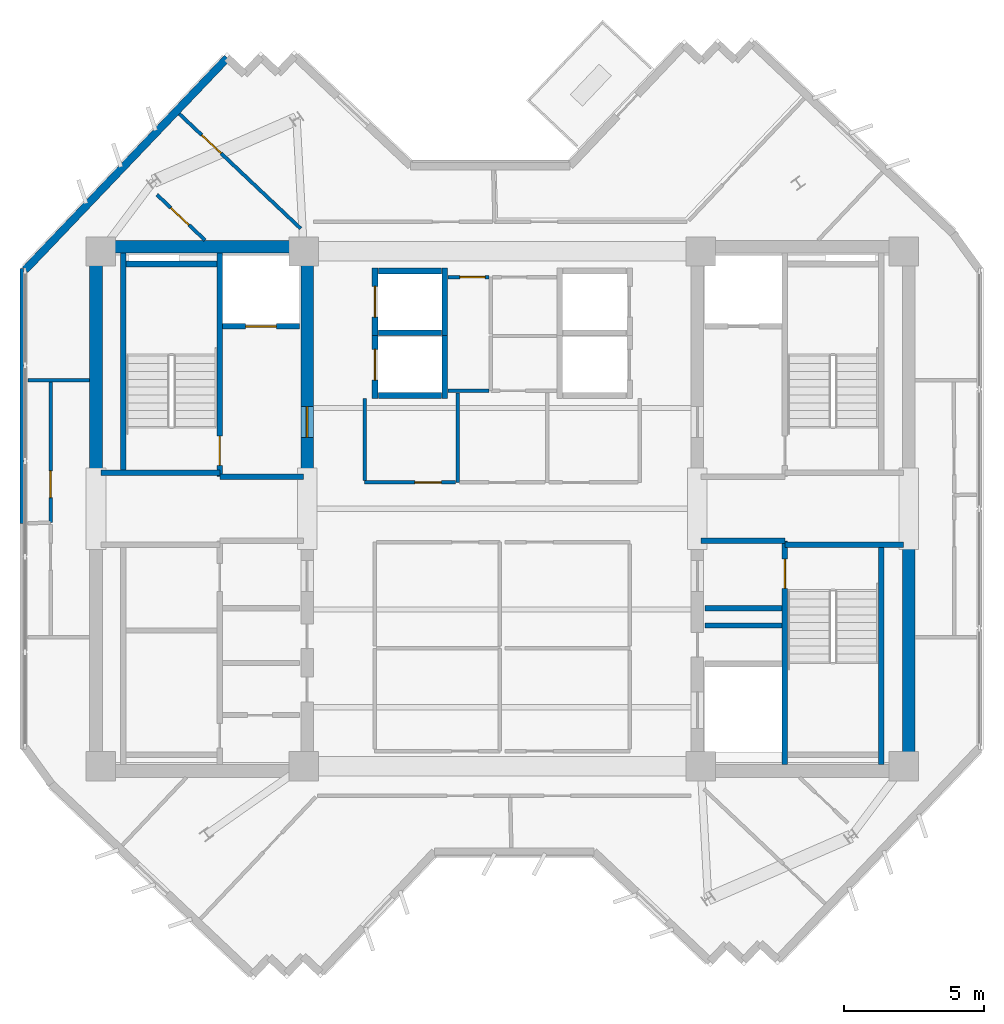
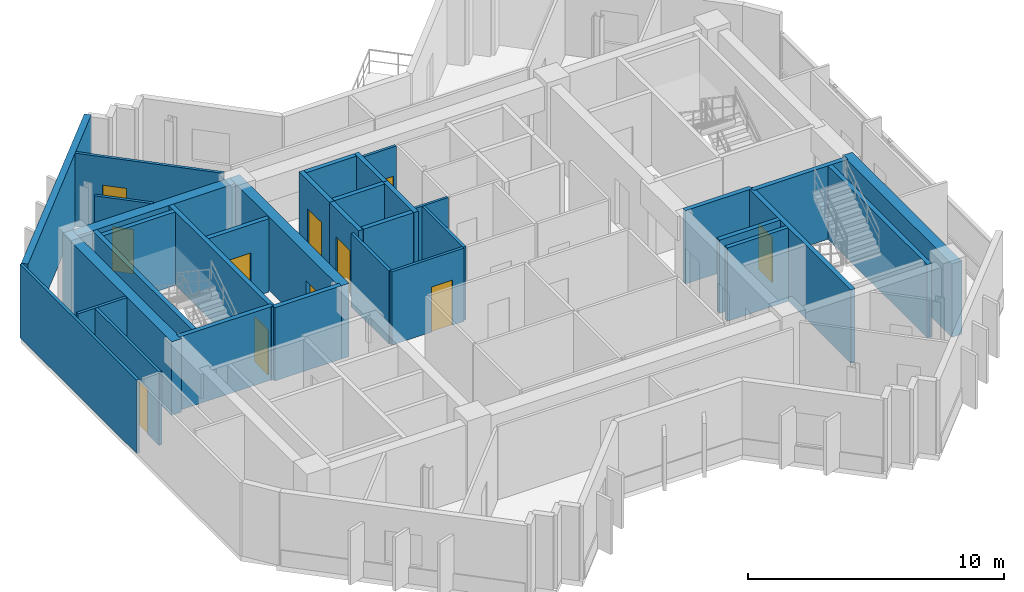
# One storey, part 5 of 9: 34 walls, 11 doors, 11 openings.
"""IFC4 building model written with IfcOpenShell, lengths in metres."""

import ifcopenshell
import ifcopenshell.guid

model = None  # the IFC model being written
_history = None  # IfcOwnerHistory: only IFC2X3 demands one
_inside = {}  # id of a spatial element -> (the spatial element, [elements in it])
_under = {}  # id of a project, library or spatial element -> (it, [spatial elements below it])
_declared = {}  # id of a project -> (the project, [libraries it declares])
_typed = {}  # id of a type object -> (the type object, [elements of that type])
_made_of = {}  # id of a material, layer set ... -> (it, [elements and type objects made of it])


def new_model(schema):
    """Start an empty IFC model of exactly this schema.

    Asked for "IFC4X3", IfcOpenShell would pick the latest addendum, in which some entities
    have other attributes; the version numbers below select the first issue.
    IFC2X3 requires an IfcOwnerHistory on every rooted entity: one is made here for all.
    """
    global model, _history
    if schema == "IFC4X3":
        model = ifcopenshell.file(schema_version=(4, 3, 0, 0))
    else:
        model = ifcopenshell.file(schema=schema)
    _inside.clear()
    _under.clear()
    _declared.clear()
    _typed.clear()
    _made_of.clear()
    _history = None
    if model.schema == "IFC2X3":
        org = make("IfcOrganization", Name="unknown")
        user = make(
            "IfcPersonAndOrganization",
            ThePerson=make("IfcPerson", FamilyName="unknown"),
            TheOrganization=org,
        )
        app = make(
            "IfcApplication",
            ApplicationDeveloper=org,
            Version="unknown",
            ApplicationFullName="unknown",
            ApplicationIdentifier="unknown",
        )
        _history = make(
            "IfcOwnerHistory",
            OwningUser=user,
            OwningApplication=app,
            ChangeAction="ADDED",
            CreationDate=0,
        )
    return model


def make(cls, **values):
    """One entity of the class cls with the attributes given. An attribute that is None is left unset."""
    return model.create_entity(
        cls, **{name: value for name, value in values.items() if value is not None}
    )


def rooted(cls, **values):
    """An entity with a GlobalId (a new one), such as an element, a storey or a relation."""
    return make(cls, GlobalId=ifcopenshell.guid.new(), OwnerHistory=_history, **values)


def si_unit(unit_type, name, prefix=None):
    """IfcSIUnit, for example si_unit("LENGTHUNIT", "METRE", prefix="MILLI")."""
    return make("IfcSIUnit", UnitType=unit_type, Prefix=prefix, Name=name)


def assignment(units):
    """IfcUnitAssignment: the units of a project."""
    return None if units is None else make("IfcUnitAssignment", Units=units)


def point(xyz):
    """IfcCartesianPoint."""
    return None if xyz is None else make("IfcCartesianPoint", Coordinates=xyz)


def direction(xyz):
    """IfcDirection."""
    return None if xyz is None else make("IfcDirection", DirectionRatios=xyz)


def frame(location, z_axis=None, x_axis=None):
    """IfcAxis2Placement3D, a coordinate frame: its origin and axes. An axis left out is left unset."""
    return make(
        "IfcAxis2Placement3D",
        Location=point(location),
        Axis=direction(z_axis),
        RefDirection=direction(x_axis),
    )


def frame_2d(location, x_axis=None):
    """IfcAxis2Placement2D, a coordinate frame in the plane: its origin and x axis."""
    return make(
        "IfcAxis2Placement2D", Location=point(location), RefDirection=direction(x_axis)
    )


def origin():
    """The frame at (0, 0, 0) with its axes left unset."""
    return frame((0.0, 0.0, 0.0))


def place(relative_to, where):
    """IfcLocalPlacement: puts the frame where relative to a parent placement (None: the world)."""
    return make(
        "IfcLocalPlacement", PlacementRelTo=relative_to, RelativePlacement=where
    )


def context(
    kind, dimensions, precision=None, world=None, true_north=None, identifier=None
):
    """IfcGeometricRepresentationContext, for example the 3D "Model" context."""
    return make(
        "IfcGeometricRepresentationContext",
        ContextIdentifier=identifier,
        ContextType=kind,
        CoordinateSpaceDimension=dimensions,
        Precision=precision,
        WorldCoordinateSystem=world,
        TrueNorth=true_north,
    )


def subcontext(parent, identifier, kind, view, scale=None):
    """IfcGeometricRepresentationSubContext, for example "Body" below "Model"."""
    return make(
        "IfcGeometricRepresentationSubContext",
        ContextIdentifier=identifier,
        ContextType=kind,
        ParentContext=parent,
        TargetScale=scale,
        TargetView=view,
    )


def project(units=None, contexts=None):
    """IfcProject with its units and contexts."""
    return rooted(
        "IfcProject",
        Name="project",
        RepresentationContexts=contexts,
        UnitsInContext=assignment(units),
    )


def spatial(cls, under=None, at=None, **own):
    """A site, building, storey or space (cls), placed at a placement, below another one or the project."""
    s = rooted(cls, ObjectPlacement=at, **own)
    if under is not None:
        _under.setdefault(under.id(), (under, []))[1].append(s)
    return s


def profile(cls, at=None, kind="AREA", **sizes):
    """A parametric profile (cls). Its sizes go by their IFC names, for example OverallWidth=200.0."""
    return make(cls, ProfileType=kind, Position=at, **sizes)


def rectangle(**sizes):
    """IfcRectangleProfileDef."""
    return profile("IfcRectangleProfileDef", **sizes)


def extrude(swept, where, along, depth):
    """IfcExtrudedAreaSolid: the profile swept, set in the frame where, extruded along a direction by depth."""
    return make(
        "IfcExtrudedAreaSolid",
        SweptArea=swept,
        Position=where,
        ExtrudedDirection=direction(along),
        Depth=depth,
    )


def shape(context_of_items, identifier, shape_type, items):
    """IfcShapeRepresentation: the items that make up one representation, for example the "Body"."""
    return make(
        "IfcShapeRepresentation",
        ContextOfItems=context_of_items,
        RepresentationIdentifier=identifier,
        RepresentationType=shape_type,
        Items=items,
    )


def source(mapping_origin, context_of_items, identifier, shape_type, items):
    """IfcRepresentationMap: a shape defined once, which mapped items show again and again."""
    return make(
        "IfcRepresentationMap",
        MappingOrigin=mapping_origin,
        MappedRepresentation=shape(context_of_items, identifier, shape_type, items),
    )


def transform(
    local_origin,
    x_axis=None,
    y_axis=None,
    z_axis=None,
    scale=None,
    scale2=None,
    scale3=None,
    uniform=True,
):
    """IfcCartesianTransformationOperator3D, or its non-uniform kind. x_axis, y_axis, z_axis: its Axis1, 2, 3."""
    if uniform:
        return make(
            "IfcCartesianTransformationOperator3D",
            Axis1=direction(x_axis),
            Axis2=direction(y_axis),
            LocalOrigin=point(local_origin),
            Scale=scale,
            Axis3=direction(z_axis),
        )
    return make(
        "IfcCartesianTransformationOperator3DnonUniform",
        Axis1=direction(x_axis),
        Axis2=direction(y_axis),
        LocalOrigin=point(local_origin),
        Scale=scale,
        Axis3=direction(z_axis),
        Scale2=scale2,
        Scale3=scale3,
    )


def mapped(mapping_source, mapping_target):
    """IfcMappedItem: shows the shape of a source again, moved by a transform."""
    return make(
        "IfcMappedItem", MappingSource=mapping_source, MappingTarget=mapping_target
    )


def material(Name=None, Category=None):
    """IfcMaterial."""
    return make("IfcMaterial", Name=Name, Category=Category)


def layer(
    of_material, thickness, ventilated=None, Name=None, Category=None, Priority=None
):
    """IfcMaterialLayer: one layer of a wall or slab, of a material (None: an air gap)."""
    return make(
        "IfcMaterialLayer",
        Material=of_material,
        LayerThickness=thickness,
        IsVentilated=ventilated,
        Name=Name,
        Category=Category,
        Priority=Priority,
    )


def layer_set(layers, Name=None):
    """IfcMaterialLayerSet."""
    return make("IfcMaterialLayerSet", MaterialLayers=layers, LayerSetName=Name)


def made_of(thing, what):
    """Note that an element or type object is made of a material, layer set ...; save() writes the relation."""
    if what is not None:
        _made_of.setdefault(what.id(), (what, []))[1].append(thing)
    return thing


def type_object(cls, material=None, **own):
    """A type object (cls), such as IfcWallType, which elements share."""
    return made_of(rooted(cls, **own), material)


def element(
    cls,
    number,
    at=None,
    inside=None,
    cuts=None,
    type_object=None,
    material=None,
    context=None,
    identifier="Body",
    shape_type=None,
    held_by="IfcProductDefinitionShape",
    body=None,
    shapes=None,
    **own,
):
    """One element of the class cls, such as IfcWall. Its Tag is "e" and its number.

    at: its placement. inside: the storey or other place that contains it. cuts: it is an
    opening in that element (IfcRelVoidsElement). A single representation is given by context,
    identifier, shape_type and body (its items); several are given by shapes. held_by: the class
    of the entity that holds the representations. save() writes the other relations.
    """
    e = rooted(cls, Tag="e%d" % number, ObjectPlacement=at, **own)
    if body is not None:
        shapes = [shape(context, identifier, shape_type, body)]
    if shapes is not None:
        e.Representation = make(held_by, Representations=shapes)
    if inside is not None:
        _inside.setdefault(inside.id(), (inside, []))[1].append(e)
    if cuts is not None:
        rooted(
            "IfcRelVoidsElement", RelatingBuildingElement=cuts, RelatedOpeningElement=e
        )
    if type_object is not None:
        _typed.setdefault(type_object.id(), (type_object, []))[1].append(e)
    return made_of(e, material)


def fill(opening, filler):
    """IfcRelFillsElement: the door or window that sits in an opening."""
    return rooted(
        "IfcRelFillsElement",
        RelatingOpeningElement=opening,
        RelatedBuildingElement=filler,
    )


def aggregate(whole, parts):
    """IfcRelAggregates: a whole, such as a stair, and the parts it consists of."""
    return rooted("IfcRelAggregates", RelatingObject=whole, RelatedObjects=parts)


def save(model, path):
    """Write the relations noted so far, then the file.

    IfcRelAggregates (storeys below a building ...), IfcRelContainedInSpatialStructure (elements
    in a storey), IfcRelDefinesByType, IfcRelAssociatesMaterial and IfcRelDeclares: one each for
    every whole, place, type object, material and project.
    """
    for whole, parts in _under.values():
        aggregate(whole, parts)
    for where, things in _inside.values():
        rooted(
            "IfcRelContainedInSpatialStructure",
            RelatedElements=things,
            RelatingStructure=where,
        )
    for kind, things in _typed.values():
        rooted("IfcRelDefinesByType", RelatedObjects=things, RelatingType=kind)
    for what, things in _made_of.values():
        rooted("IfcRelAssociatesMaterial", RelatedObjects=things, RelatingMaterial=what)
    for by, libraries in _declared.values():
        rooted("IfcRelDeclares", RelatingContext=by, RelatedDefinitions=libraries)
    model.write(path)


model = new_model("IFC4")

# Units and contexts
model_context = context("Model", 3, precision=1e-05, world=origin(), true_north=direction((0.0, 1.0)))
body_context = subcontext(model_context, "Body", "Model", "MODEL_VIEW")
ifc_project = project(units=[si_unit("LENGTHUNIT", "METRE"), si_unit("AREAUNIT", "SQUARE_METRE"), si_unit("VOLUMEUNIT", "CUBIC_METRE"), si_unit("PLANEANGLEUNIT", "RADIAN"), si_unit("MASSUNIT", "GRAM", prefix="KILO")], contexts=[model_context])

# Site, building, storey
site_placement = place(None, origin())
site = spatial("IfcSite", under=ifc_project, at=site_placement, CompositionType="ELEMENT")
building_placement = place(site_placement, origin())
building = spatial("IfcBuilding", under=site, at=building_placement, Name="Zahravan Cultural Tower", CompositionType="ELEMENT")
storey_placement = place(building_placement, frame((0.0, 0.0, 306.60009765625)))
storey = spatial("IfcBuildingStorey", under=building, at=storey_placement, Name="L74", CompositionType="ELEMENT", Elevation=306.60009765625)

# Wall, opening, door
ifc_material_1 = material(Name="Concrete C50/60", Category="concrete")
ifc_layer_1 = layer(ifc_material_1, 0.449951171875)
ifc_layer_set_1 = layer_set([ifc_layer_1], Name="Concrete C50/60")
wall_type_1 = type_object("IfcWallType", Name="CW-SHEAR-450-C50", PredefinedType="SHEAR", material=ifc_layer_set_1)
wall_1_placement = place(storey_placement, frame((29.02490234375, 28.050048828125, 0.0), z_axis=(0.0, 0.0, 1.0), x_axis=(0.0, 1.0, 0.0)))
wall_1 = element("IfcWall", 1, at=wall_1_placement, inside=storey, type_object=wall_type_1, Name="L74 Core Shear Wall CW-W-EN-L74", PredefinedType="SHEAR", context=body_context, shape_type="SweptSolid", body=[
    extrude(rectangle(XDim=8.550048828125, YDim=0.449951171875, at=frame_2d((4.27490234375, 0.0))), origin(), (0.0, 0.0, 1.0), 3.5),
])
opening_1_placement = place(wall_1_placement, frame((1.5, 0.0, 0.0)))
opening_1 = element("IfcOpeningElement", 2, at=opening_1_placement, cuts=wall_1, Name="Opening D-L74-06", PredefinedType="OPENING", context=body_context, shape_type="SweptSolid", body=[
    extrude(rectangle(XDim=1.10009765625, YDim=2.199951171875, at=frame_2d((0.550048828125, 1.10009765625))), frame((0.0, 0.23486328125, 0.0), z_axis=(0.0, -1.0, 0.0), x_axis=(1.0, 0.0, 0.0)), (0.0, 0.0, 1.0), 0.469970703125),
])
ifc_material_2 = material(Name="Steel ASTM A572 Grade 50", Category="steel")
door_type_1 = type_object("IfcDoorType", Name="DR-LOBBY-1100", OperationType="NOTDEFINED", PredefinedType="DOOR", material=ifc_material_2)
shared_shape_1 = source(origin(), body_context, "Body", "SweptSolid", [
    extrude(rectangle(XDim=1.10009765625, YDim=2.199951171875, at=frame_2d((0.550048828125, 1.10009765625))), frame((0.0, 0.02490234375, 0.0), z_axis=(0.0, -1.0, 0.0), x_axis=(1.0, 0.0, 0.0)), (0.0, 0.0, 1.0), 0.050048828125),
])
door_1_placement = place(opening_1_placement, origin())
door_1 = element("IfcDoor", 3, at=door_1_placement, inside=storey, type_object=door_type_1, Name="L74 Door D-L74-06", OperationType="SINGLE_SWING_LEFT", OverallHeight=2.199951171875, OverallWidth=1.10009765625, PredefinedType="DOOR", context=body_context, shape_type="MappedRepresentation", body=[
    mapped(shared_shape_1, transform((0.0, 0.0, 0.0), x_axis=(1.0, 0.0, 0.0), y_axis=(0.0, 1.0, 0.0), z_axis=(0.0, 0.0, 1.0), scale=1.0)),
])
fill(opening_1, door_1)

ifc_material_3 = material(Name="Gypsum plasterboard partition")
ifc_layer_2 = layer(ifc_material_3, 0.125)
ifc_layer_set_2 = layer_set([ifc_layer_2], Name="Gypsum plasterboard partition")
wall_type_2 = type_object("IfcWallType", Name="W-PART-125", PredefinedType="PARTITIONING", material=ifc_layer_set_2)
wall_2_placement = place(storey_placement, frame((23.651123046875, 38.230712890625, 0.0), z_axis=(0.0, 0.0, 1.0), x_axis=(0.726735597886, -0.686917295433, 0.0)))
wall_2 = element("IfcWall", 4, at=wall_2_placement, inside=storey, type_object=wall_type_2, Name="L74 Interior Wall 051", PredefinedType="PARTITIONING", context=body_context, shape_type="SweptSolid", body=[
    extrude(rectangle(XDim=2.36669921875, YDim=0.125, at=frame_2d((1.183349609375, 0.0))), origin(), (0.0, 0.0, 1.0), 3.5),
])
opening_2_placement = place(wall_2_placement, frame((0.6923828125, 0.0, 0.0)))
opening_2 = element("IfcOpeningElement", 5, at=opening_2_placement, cuts=wall_2, Name="Opening D-L74-36", PredefinedType="OPENING", context=body_context, shape_type="SweptSolid", body=[
    extrude(rectangle(XDim=0.8798828125, YDim=2.10009765625, at=frame_2d((0.43994140625, 1.050048828125))), frame((0.0, 0.072509765625, 0.0), z_axis=(0.0, -1.0, 0.0), x_axis=(1.0, 0.0, 0.0)), (0.0, 0.0, 1.0), 0.14501953125),
])
ifc_material_4 = material(Name="Anodised bronze-aluminium mullion", Category="aluminium")
door_type_2 = type_object("IfcDoorType", Name="DR-ROOM-880", OperationType="NOTDEFINED", PredefinedType="DOOR", material=ifc_material_4)
shared_shape_2 = source(origin(), body_context, "Body", "SweptSolid", [
    extrude(rectangle(XDim=0.8798828125, YDim=2.10009765625, at=frame_2d((0.43994140625, 1.050048828125))), frame((0.0, 0.02490234375, 0.0), z_axis=(0.0, -1.0, 0.0), x_axis=(1.0, 0.0, 0.0)), (0.0, 0.0, 1.0), 0.050048828125),
])
door_2_placement = place(opening_2_placement, origin())
door_2 = element("IfcDoor", 6, at=door_2_placement, inside=storey, type_object=door_type_2, Name="L74 Door D-L74-36", OperationType="SINGLE_SWING_LEFT", OverallHeight=2.10009765625, OverallWidth=0.8798828125, PredefinedType="DOOR", context=body_context, shape_type="MappedRepresentation", body=[
    mapped(shared_shape_2, transform((0.0, 0.0, 0.0), x_axis=(1.0, 0.0, 0.0), y_axis=(0.0, 1.0, 0.0), z_axis=(0.0, 0.0, 1.0), scale=1.0)),
])
fill(opening_2, door_2)

wall_3_placement = place(storey_placement, frame((34.33251953125, 27.93994140625, 0.0), z_axis=(0.0, 0.0, 1.0), x_axis=(-1.0, 0.0, 0.0)))
wall_3 = element("IfcWall", 7, at=wall_3_placement, inside=storey, type_object=wall_type_2, Name="L74 Interior Wall 056", PredefinedType="PARTITIONING", context=body_context, shape_type="SweptSolid", body=[
    extrude(rectangle(XDim=3.25244140625, YDim=0.125, at=frame_2d((1.626220703125, 0.0))), origin(), (0.0, 0.0, 1.0), 3.5),
])
opening_3_placement = place(wall_3_placement, frame((0.506591796875, 0.0, 0.0)))
opening_3 = element("IfcOpeningElement", 8, at=opening_3_placement, cuts=wall_3, Name="Opening D-L74-20", PredefinedType="OPENING", context=body_context, shape_type="SweptSolid", body=[
    extrude(rectangle(XDim=0.949951171875, YDim=2.14990234375, at=frame_2d((0.47509765625, 1.074951171875))), frame((0.0, 0.072509765625, 0.0), z_axis=(0.0, -1.0, 0.0), x_axis=(1.0, 0.0, 0.0)), (0.0, 0.0, 1.0), 0.14501953125),
])
door_type_3 = type_object("IfcDoorType", Name="DR-ROOM-950", OperationType="NOTDEFINED", PredefinedType="DOOR", material=ifc_material_4)
shared_shape_3 = source(origin(), body_context, "Body", "SweptSolid", [
    extrude(rectangle(XDim=0.949951171875, YDim=2.14990234375, at=frame_2d((0.47509765625, 1.074951171875))), frame((0.0, 0.02490234375, 0.0), z_axis=(0.0, -1.0, 0.0), x_axis=(1.0, 0.0, 0.0)), (0.0, 0.0, 1.0), 0.050048828125),
])
door_3_placement = place(opening_3_placement, origin())
door_3 = element("IfcDoor", 9, at=door_3_placement, inside=storey, type_object=door_type_3, Name="L74 Door D-L74-20", OperationType="SINGLE_SWING_LEFT", OverallHeight=2.14990234375, OverallWidth=0.949951171875, PredefinedType="DOOR", context=body_context, shape_type="MappedRepresentation", body=[
    mapped(shared_shape_3, transform((0.0, 0.0, 0.0), x_axis=(1.0, 0.0, 0.0), y_axis=(0.0, 1.0, 0.0), z_axis=(0.0, 0.0, 1.0), scale=1.0)),
])
fill(opening_3, door_3)

wall_4_placement = place(storey_placement, frame((24.45556640625, 41.11669921875, 0.0), z_axis=(0.0, 0.0, 1.0), x_axis=(0.726761082497, -0.686890332562, 0.0)))
wall_4 = element("IfcWall", 10, at=wall_4_placement, inside=storey, type_object=wall_type_2, Name="L74 Interior Wall 060", PredefinedType="PARTITIONING", context=body_context, shape_type="SweptSolid", body=[
    extrude(rectangle(XDim=5.964111328125, YDim=0.125, at=frame_2d((2.98193359375, 0.0))), origin(), (0.0, 0.0, 1.0), 3.5),
])
opening_4_placement = place(wall_4_placement, frame((1.10302734375, 0.0, 0.0)))
opening_4 = element("IfcOpeningElement", 11, at=opening_4_placement, cuts=wall_4, Name="Opening D-L74-33", PredefinedType="OPENING", context=body_context, shape_type="SweptSolid", body=[
    extrude(rectangle(XDim=0.949951171875, YDim=2.14990234375, at=frame_2d((0.47509765625, 1.074951171875))), frame((0.0, 0.072509765625, 0.0), z_axis=(0.0, -1.0, 0.0), x_axis=(1.0, 0.0, 0.0)), (0.0, 0.0, 1.0), 0.14501953125),
])
door_4_placement = place(opening_4_placement, origin())
door_4 = element("IfcDoor", 12, at=door_4_placement, inside=storey, type_object=door_type_3, Name="L74 Door D-L74-33", OperationType="SINGLE_SWING_RIGHT", OverallHeight=2.14990234375, OverallWidth=0.949951171875, PredefinedType="DOOR", context=body_context, shape_type="MappedRepresentation", body=[
    mapped(shared_shape_3, transform((0.0, 0.0, 0.0), x_axis=(1.0, 0.0, 0.0), y_axis=(0.0, 1.0, 0.0), z_axis=(0.0, 0.0, 1.0), scale=1.0)),
])
fill(opening_4, door_4)

wall_5_placement = place(storey_placement, frame((19.8505859375, 31.529052734375, 0.0), z_axis=(0.0, 0.0, 1.0), x_axis=(-9.7219521e-05, -0.999999995274, 0.0)))
wall_5 = element("IfcWall", 13, at=wall_5_placement, inside=storey, type_object=wall_type_2, Name="L74 Interior Wall 078", PredefinedType="PARTITIONING", context=body_context, shape_type="SweptSolid", body=[
    extrude(rectangle(XDim=5.0224609375, YDim=0.125, at=frame_2d((2.51123046875, 0.0))), origin(), (0.0, 0.0, 1.0), 3.5),
])
opening_5_placement = place(wall_5_placement, frame((3.176513671875, 0.0, 0.0)))
opening_5 = element("IfcOpeningElement", 14, at=opening_5_placement, cuts=wall_5, Name="Opening D-L74-26", PredefinedType="OPENING", context=body_context, shape_type="SweptSolid", body=[
    extrude(rectangle(XDim=0.949951171875, YDim=2.14990234375, at=frame_2d((0.47509765625, 1.074951171875))), frame((0.0, 0.072509765625, 0.0), z_axis=(0.0, -1.0, 0.0), x_axis=(1.0, 0.0, 0.0)), (0.0, 0.0, 1.0), 0.14501953125),
])
door_5_placement = place(opening_5_placement, origin())
door_5 = element("IfcDoor", 15, at=door_5_placement, inside=storey, type_object=door_type_3, Name="L74 Door D-L74-26", OperationType="SINGLE_SWING_LEFT", OverallHeight=2.14990234375, OverallWidth=0.949951171875, PredefinedType="DOOR", context=body_context, shape_type="MappedRepresentation", body=[
    mapped(shared_shape_3, transform((0.0, 0.0, 0.0), x_axis=(1.0, 0.0, 0.0), y_axis=(0.0, 1.0, 0.0), z_axis=(0.0, 0.0, 1.0), scale=1.0)),
])
fill(opening_5, door_5)

ifc_material_5 = material(Name="Concrete C45/55", Category="concrete")
ifc_layer_3 = layer(ifc_material_5, 0.199951171875)
ifc_layer_set_3 = layer_set([ifc_layer_3], Name="Concrete C45/55")
wall_type_3 = type_object("IfcWallType", Name="W-SHAFT-200", PredefinedType="SOLIDWALL", material=ifc_layer_set_3)
wall_6_placement = place(storey_placement, frame((25.89990234375, 28.14990234375, 0.0), z_axis=(0.0, 0.0, 1.0), x_axis=(0.0, 1.0, 0.0)))
wall_6 = element("IfcWall", 16, at=wall_6_placement, inside=storey, type_object=wall_type_3, Name="L74 Interior Wall 006", PredefinedType="SOLIDWALL", context=body_context, shape_type="SweptSolid", body=[
    extrude(rectangle(XDim=8.0, YDim=0.199951171875, at=frame_2d((4.0, 0.0))), origin(), (0.0, 0.0, 1.0), 3.5),
])
opening_6_placement = place(wall_6_placement, frame((0.39990234375, 0.0, 0.0)))
opening_6 = element("IfcOpeningElement", 17, at=opening_6_placement, cuts=wall_6, Name="Opening D-L74-01", PredefinedType="OPENING", context=body_context, shape_type="SweptSolid", body=[
    extrude(rectangle(XDim=1.050048828125, YDim=2.14990234375, at=frame_2d((0.52490234375, 1.074951171875))), frame((0.0, 0.10986328125, 0.0), z_axis=(0.0, -1.0, 0.0), x_axis=(1.0, 0.0, 0.0)), (0.0, 0.0, 1.0), 0.219970703125),
])
door_type_4 = type_object("IfcDoorType", Name="DR-STAIR-1050", OperationType="NOTDEFINED", PredefinedType="DOOR", material=ifc_material_2)
shared_shape_4 = source(origin(), body_context, "Body", "SweptSolid", [
    extrude(rectangle(XDim=1.050048828125, YDim=2.14990234375, at=frame_2d((0.52490234375, 1.074951171875))), frame((0.0, 0.02490234375, 0.0), z_axis=(0.0, -1.0, 0.0), x_axis=(1.0, 0.0, 0.0)), (0.0, 0.0, 1.0), 0.050048828125),
])
door_6_placement = place(opening_6_placement, origin())
door_6 = element("IfcDoor", 18, at=door_6_placement, inside=storey, type_object=door_type_4, Name="L74 Door D-L74-01", OperationType="SINGLE_SWING_RIGHT", OverallHeight=2.14990234375, OverallWidth=1.050048828125, PredefinedType="DOOR", context=body_context, shape_type="MappedRepresentation", body=[
    mapped(shared_shape_4, transform((0.0, 0.0, 0.0), x_axis=(1.0, 0.0, 0.0), y_axis=(0.0, 1.0, 0.0), z_axis=(0.0, 0.0, 1.0), scale=1.0)),
])
fill(opening_6, door_6)

wall_7_placement = place(storey_placement, frame((46.10009765625, 17.85009765625, 0.0), z_axis=(0.0, 0.0, 1.0), x_axis=(0.0, 1.0, 0.0)))
wall_7 = element("IfcWall", 19, at=wall_7_placement, inside=storey, type_object=wall_type_3, Name="L74 Interior Wall 007", PredefinedType="SOLIDWALL", context=body_context, shape_type="SweptSolid", body=[
    extrude(rectangle(XDim=8.0, YDim=0.199951171875, at=frame_2d((4.0, 0.0))), origin(), (0.0, 0.0, 1.0), 3.5),
])
opening_7_placement = place(wall_7_placement, frame((6.300048828125, 0.0, 0.0)))
opening_7 = element("IfcOpeningElement", 20, at=opening_7_placement, cuts=wall_7, Name="Opening D-L74-03", PredefinedType="OPENING", context=body_context, shape_type="SweptSolid", body=[
    extrude(rectangle(XDim=1.050048828125, YDim=2.14990234375, at=frame_2d((0.52490234375, 1.074951171875))), frame((0.0, 0.10986328125, 0.0), z_axis=(0.0, -1.0, 0.0), x_axis=(1.0, 0.0, 0.0)), (0.0, 0.0, 1.0), 0.219970703125),
])
door_7_placement = place(opening_7_placement, origin())
door_7 = element("IfcDoor", 21, at=door_7_placement, inside=storey, type_object=door_type_4, Name="L74 Door D-L74-03", OperationType="SINGLE_SWING_RIGHT", OverallHeight=2.14990234375, OverallWidth=1.050048828125, PredefinedType="DOOR", context=body_context, shape_type="MappedRepresentation", body=[
    mapped(shared_shape_4, transform((0.0, 0.0, 0.0), x_axis=(1.0, 0.0, 0.0), y_axis=(0.0, 1.0, 0.0), z_axis=(0.0, 0.0, 1.0), scale=1.0)),
])
fill(opening_7, door_7)

wall_8_placement = place(storey_placement, frame((26.0, 33.52001953125, 0.0), z_axis=(0.0, 0.0, 1.0), x_axis=(1.0, 0.0, 0.0)))
wall_8 = element("IfcWall", 22, at=wall_8_placement, inside=storey, type_object=wall_type_3, Name="L74 Interior Wall 022", PredefinedType="SOLIDWALL", context=body_context, shape_type="SweptSolid", body=[
    extrude(rectangle(XDim=2.75, YDim=0.199951171875, at=frame_2d((1.375, 0.0))), origin(), (0.0, 0.0, 1.0), 3.5),
])
opening_8_placement = place(wall_8_placement, frame((0.820068359375, 0.0, 0.0)))
opening_8 = element("IfcOpeningElement", 23, at=opening_8_placement, cuts=wall_8, Name="Opening LD-L74-01", PredefinedType="OPENING", context=body_context, shape_type="SweptSolid", body=[
    extrude(rectangle(XDim=1.10009765625, YDim=2.14990234375, at=frame_2d((0.550048828125, 1.074951171875))), frame((0.0, 0.10986328125, 0.0), z_axis=(0.0, -1.0, 0.0), x_axis=(1.0, 0.0, 0.0)), (0.0, 0.0, 1.0), 0.219970703125),
])
door_type_5 = type_object("IfcDoorType", Name="DR-LIFT-1100", OperationType="DOUBLE_DOOR_SLIDING", PredefinedType="DOOR", material=ifc_material_2)
shared_shape_5 = source(origin(), body_context, "Body", "SweptSolid", [
    extrude(rectangle(XDim=1.10009765625, YDim=2.14990234375, at=frame_2d((0.550048828125, 1.074951171875))), frame((0.0, 0.02490234375, 0.0), z_axis=(0.0, -1.0, 0.0), x_axis=(1.0, 0.0, 0.0)), (0.0, 0.0, 1.0), 0.050048828125),
])
door_8_placement = place(opening_8_placement, origin())
door_8 = element("IfcDoor", 24, at=door_8_placement, inside=storey, type_object=door_type_5, Name="L74 Door LD-L74-01", OperationType="DOUBLE_DOOR_SLIDING", OverallHeight=2.14990234375, OverallWidth=1.10009765625, PredefinedType="DOOR", context=body_context, shape_type="MappedRepresentation", body=[
    mapped(shared_shape_5, transform((0.0, 0.0, 0.0), x_axis=(1.0, 0.0, 0.0), y_axis=(0.0, 1.0, 0.0), z_axis=(0.0, 0.0, 1.0), scale=1.0)),
])
fill(opening_8, door_8)

wall_9_placement = place(storey_placement, frame((31.449951171875, 33.199951171875, 0.0), z_axis=(0.0, 0.0, 1.0), x_axis=(0.0, 1.0, 0.0)))
wall_9 = element("IfcWall", 25, at=wall_9_placement, inside=storey, type_object=wall_type_3, Name="L74 Interior Wall 030", PredefinedType="SOLIDWALL", context=body_context, shape_type="SweptSolid", body=[
    extrude(rectangle(XDim=2.400146484375, YDim=0.199951171875, at=frame_2d((1.2001953125, 0.0))), origin(), (0.0, 0.0, 1.0), 3.5),
])
opening_9_placement = place(wall_9_placement, frame((0.64990234375, 0.0, 0.0)))
opening_9 = element("IfcOpeningElement", 26, at=opening_9_placement, cuts=wall_9, Name="Opening LD-L74-04", PredefinedType="OPENING", context=body_context, shape_type="SweptSolid", body=[
    extrude(rectangle(XDim=1.10009765625, YDim=2.14990234375, at=frame_2d((0.550048828125, 1.074951171875))), frame((0.0, 0.10986328125, 0.0), z_axis=(0.0, -1.0, 0.0), x_axis=(1.0, 0.0, 0.0)), (0.0, 0.0, 1.0), 0.219970703125),
])
door_9_placement = place(opening_9_placement, origin())
door_9 = element("IfcDoor", 27, at=door_9_placement, inside=storey, type_object=door_type_5, Name="L74 Door LD-L74-04", OperationType="DOUBLE_DOOR_SLIDING", OverallHeight=2.14990234375, OverallWidth=1.10009765625, PredefinedType="DOOR", context=body_context, shape_type="MappedRepresentation", body=[
    mapped(shared_shape_5, transform((0.0, 0.0, 0.0), x_axis=(1.0, 0.0, 0.0), y_axis=(0.0, 1.0, 0.0), z_axis=(0.0, 0.0, 1.0), scale=1.0)),
])
fill(opening_9, door_9)

wall_10_placement = place(storey_placement, frame((31.449951171875, 30.949951171875, 0.0), z_axis=(0.0, 0.0, 1.0), x_axis=(0.0, 1.0, 0.0)))
wall_10 = element("IfcWall", 28, at=wall_10_placement, inside=storey, type_object=wall_type_3, Name="L74 Interior Wall 034", PredefinedType="SOLIDWALL", context=body_context, shape_type="SweptSolid", body=[
    extrude(rectangle(XDim=2.400146484375, YDim=0.199951171875, at=frame_2d((1.2001953125, 0.0))), origin(), (0.0, 0.0, 1.0), 3.5),
])
opening_10_placement = place(wall_10_placement, frame((0.64990234375, 0.0, 0.0)))
opening_10 = element("IfcOpeningElement", 29, at=opening_10_placement, cuts=wall_10, Name="Opening LD-L74-05", PredefinedType="OPENING", context=body_context, shape_type="SweptSolid", body=[
    extrude(rectangle(XDim=1.10009765625, YDim=2.14990234375, at=frame_2d((0.550048828125, 1.074951171875))), frame((0.0, 0.10986328125, 0.0), z_axis=(0.0, -1.0, 0.0), x_axis=(1.0, 0.0, 0.0)), (0.0, 0.0, 1.0), 0.219970703125),
])
door_10_placement = place(opening_10_placement, origin())
door_10 = element("IfcDoor", 30, at=door_10_placement, inside=storey, type_object=door_type_5, Name="L74 Door LD-L74-05", OperationType="DOUBLE_DOOR_SLIDING", OverallHeight=2.14990234375, OverallWidth=1.10009765625, PredefinedType="DOOR", context=body_context, shape_type="MappedRepresentation", body=[
    mapped(shared_shape_5, transform((0.0, 0.0, 0.0), x_axis=(1.0, 0.0, 0.0), y_axis=(0.0, 1.0, 0.0), z_axis=(0.0, 0.0, 1.0), scale=1.0)),
])
fill(opening_10, door_10)

ifc_layer_4 = layer(ifc_material_3, 0.114990234375)
ifc_layer_set_4 = layer_set([ifc_layer_4], Name="Gypsum plasterboard partition")
wall_type_4 = type_object("IfcWallType", Name="W-WC-115", PredefinedType="PARTITIONING", material=ifc_layer_set_4)
wall_11_placement = place(storey_placement, frame((34.054931640625, 35.280029296875, 0.0), z_axis=(0.0, 0.0, 1.0), x_axis=(1.0, 0.0, 0.0)))
wall_11 = element("IfcWall", 31, at=wall_11_placement, inside=storey, type_object=wall_type_4, Name="L74 Interior Wall 050", PredefinedType="PARTITIONING", context=body_context, shape_type="SweptSolid", body=[
    extrude(rectangle(XDim=1.47265625, YDim=0.114990234375, at=frame_2d((0.736328125, 0.0))), origin(), (0.0, 0.0, 1.0), 3.5),
])
opening_11_placement = place(wall_11_placement, frame((0.4326171875, 0.0, 0.0)))
opening_11 = element("IfcOpeningElement", 32, at=opening_11_placement, cuts=wall_11, Name="Opening D-L74-18", PredefinedType="OPENING", context=body_context, shape_type="SweptSolid", body=[
    extrude(rectangle(XDim=0.89990234375, YDim=2.10009765625, at=frame_2d((0.449951171875, 1.050048828125))), frame((0.0, 0.0673828125, 0.0), z_axis=(0.0, -1.0, 0.0), x_axis=(1.0, 0.0, 0.0)), (0.0, 0.0, 1.0), 0.135009765625),
])
door_type_6 = type_object("IfcDoorType", Name="DR-WC-900", OperationType="NOTDEFINED", PredefinedType="DOOR", material=ifc_material_4)
shared_shape_6 = source(origin(), body_context, "Body", "SweptSolid", [
    extrude(rectangle(XDim=0.89990234375, YDim=2.10009765625, at=frame_2d((0.449951171875, 1.050048828125))), frame((0.0, 0.02490234375, 0.0), z_axis=(0.0, -1.0, 0.0), x_axis=(1.0, 0.0, 0.0)), (0.0, 0.0, 1.0), 0.050048828125),
])
door_11_placement = place(opening_11_placement, origin())
door_11 = element("IfcDoor", 33, at=door_11_placement, inside=storey, type_object=door_type_6, Name="L74 Door D-L74-18", OperationType="SINGLE_SWING_LEFT", OverallHeight=2.10009765625, OverallWidth=0.89990234375, PredefinedType="DOOR", context=body_context, shape_type="MappedRepresentation", body=[
    mapped(shared_shape_6, transform((0.0, 0.0, 0.0), x_axis=(1.0, 0.0, 0.0), y_axis=(0.0, 1.0, 0.0), z_axis=(0.0, 0.0, 1.0), scale=1.0)),
])
fill(opening_11, door_11)

# Walls
shared_shape_7 = source(origin(), body_context, "Body", "SweptSolid", [
    extrude(rectangle(XDim=8.550048828125, YDim=0.449951171875, at=frame_2d((4.27490234375, 0.0))), origin(), (0.0, 0.0, 1.0), 3.5),
])
for number, where, z_axis, x_axis, name in (
    (34, (21.47509765625, 28.050048828125, 0.0), (0.0, 0.0, 1.0), (0.0, 1.0, 0.0), "L74 Core Shear Wall CW-W-WN-L74"),
    (35, (50.52490234375, 17.39990234375, 0.0), (0.0, 0.0, 1.0), (0.0, 1.0, 0.0), "L74 Core Shear Wall CW-E-ES-L74"),
):
    element("IfcWall", number, at=place(storey_placement, frame(where, z_axis=z_axis, x_axis=x_axis)), inside=storey, type_object=wall_type_1, Name=name, PredefinedType="SHEAR", context=body_context, shape_type="MappedRepresentation", body=[
        mapped(shared_shape_7, transform((0.0, 0.0, 0.0), x_axis=(1.0, 0.0, 0.0), y_axis=(0.0, 1.0, 0.0), z_axis=(0.0, 0.0, 1.0), scale=1.0)),
    ])
shared_shape_8 = source(origin(), body_context, "Body", "SweptSolid", [
    extrude(rectangle(XDim=7.10009765625, YDim=0.449951171875, at=frame_2d((3.550048828125, 0.0))), origin(), (0.0, 0.0, 1.0), 3.5),
])
wall_12_placement = place(storey_placement, frame((21.699951171875, 36.375, 0.0), z_axis=(0.0, 0.0, 1.0), x_axis=(1.0, 0.0, 0.0)))
element("IfcWall", 36, at=wall_12_placement, inside=storey, type_object=wall_type_1, Name="L74 Core Shear Wall CW-W-N-L74", PredefinedType="SHEAR", context=body_context, shape_type="MappedRepresentation", body=[
    mapped(shared_shape_8, transform((0.0, 0.0, 0.0), x_axis=(1.0, 0.0, 0.0), y_axis=(0.0, 1.0, 0.0), z_axis=(0.0, 0.0, 1.0), scale=1.0)),
])
ifc_material_6 = material(Name="Precast concrete C40/50", Category="concrete")
ifc_layer_5 = layer(ifc_material_6, 0.280029296875)
ifc_layer_set_5 = layer_set([ifc_layer_5], Name="Precast concrete C40/50")
wall_type_5 = type_object("IfcWallType", Name="EW-TC-280", PredefinedType="SOLIDWALL", material=ifc_layer_set_5)
shared_shape_9 = source(origin(), body_context, "Body", "SweptSolid", [
    extrude(rectangle(XDim=10.469970703125, YDim=0.280029296875, at=frame_2d((5.23486328125, 0.0))), origin(), (0.0, 0.0, 1.0), 3.5),
])
wall_13_placement = place(storey_placement, frame((18.93994140625, 35.5419921875, 0.0), z_axis=(0.0, 0.0, 1.0), x_axis=(0.690070788875, 0.723741878256, 0.0)))
element("IfcWall", 37, at=wall_13_placement, inside=storey, type_object=wall_type_5, Name="L74 Exterior Masonry Frame Wall 22", PredefinedType="SOLIDWALL", context=body_context, shape_type="MappedRepresentation", body=[
    mapped(shared_shape_9, transform((0.0, 0.0, 0.0), x_axis=(1.0, 0.0, 0.0), y_axis=(0.0, 1.0, 0.0), z_axis=(0.0, 0.0, 1.0), scale=1.0)),
])
shared_shape_10 = source(origin(), body_context, "Body", "SweptSolid", [
    extrude(rectangle(XDim=7.869873046875, YDim=0.199951171875, at=frame_2d((3.93505859375, 0.0))), origin(), (0.0, 0.0, 1.0), 3.5),
])
for number, where, z_axis, x_axis, name in (
    (38, (22.449951171875, 28.280029296875, 0.0), (0.0, 0.0, 1.0), (0.0, 1.0, 0.0), "L74 Interior Wall 002"),
    (39, (49.550048828125, 17.85009765625, 0.0), (0.0, 0.0, 1.0), (0.0, 1.0, 0.0), "L74 Interior Wall 003"),
):
    element("IfcWall", number, at=place(storey_placement, frame(where, z_axis=z_axis, x_axis=x_axis)), inside=storey, type_object=wall_type_3, Name=name, PredefinedType="SOLIDWALL", context=body_context, shape_type="MappedRepresentation", body=[
        mapped(shared_shape_10, transform((0.0, 0.0, 0.0), x_axis=(1.0, 0.0, 0.0), y_axis=(0.0, 1.0, 0.0), z_axis=(0.0, 0.0, 1.0), scale=1.0)),
    ])
shared_shape_11 = source(origin(), body_context, "Body", "SweptSolid", [
    extrude(rectangle(XDim=4.25, YDim=0.199951171875, at=frame_2d((2.125, 0.0))), origin(), (0.0, 0.0, 1.0), 3.5),
])
for number, where, z_axis, x_axis, name in (
    (40, (21.64990234375, 28.284912109375, 0.0), (0.0, 0.0, 1.0), (1.0, 0.0, 0.0), "L74 Interior Wall 011"),
    (41, (46.10009765625, 25.715087890625, 0.0), (0.0, 0.0, 1.0), (1.0, 0.0, 0.0), "L74 Interior Wall 014"),
):
    element("IfcWall", number, at=place(storey_placement, frame(where, z_axis=z_axis, x_axis=x_axis)), inside=storey, type_object=wall_type_3, Name=name, PredefinedType="SOLIDWALL", context=body_context, shape_type="MappedRepresentation", body=[
        mapped(shared_shape_11, transform((0.0, 0.0, 0.0), x_axis=(1.0, 0.0, 0.0), y_axis=(0.0, 1.0, 0.0), z_axis=(0.0, 0.0, 1.0), scale=1.0)),
    ])
shared_shape_12 = source(origin(), body_context, "Body", "SweptSolid", [
    extrude(rectangle(XDim=3.0, YDim=0.199951171875, at=frame_2d((1.5, 0.0))), origin(), (0.0, 0.0, 1.0), 3.5),
])
for number, where, z_axis, x_axis, name in (
    (42, (25.89990234375, 28.14990234375, 0.0), (0.0, 0.0, 1.0), (1.0, 0.0, 0.0), "L74 Interior Wall 012"),
    (43, (43.10009765625, 25.85009765625, 0.0), (0.0, 0.0, 1.0), (1.0, 0.0, 0.0), "L74 Interior Wall 013"),
):
    element("IfcWall", number, at=place(storey_placement, frame(where, z_axis=z_axis, x_axis=x_axis)), inside=storey, type_object=wall_type_3, Name=name, PredefinedType="SOLIDWALL", context=body_context, shape_type="MappedRepresentation", body=[
        mapped(shared_shape_12, transform((0.0, 0.0, 0.0), x_axis=(1.0, 0.0, 0.0), y_axis=(0.0, 1.0, 0.0), z_axis=(0.0, 0.0, 1.0), scale=1.0)),
    ])
shared_shape_13 = source(origin(), body_context, "Body", "SweptSolid", [
    extrude(rectangle(XDim=3.25, YDim=0.199951171875, at=frame_2d((1.625, 0.0))), origin(), (0.0, 0.0, 1.0), 3.5),
])
wall_14_placement = place(storey_placement, frame((22.550048828125, 35.75, 0.0), z_axis=(0.0, 0.0, 1.0), x_axis=(1.0, 0.0, 0.0)))
element("IfcWall", 44, at=wall_14_placement, inside=storey, type_object=wall_type_3, Name="L74 Interior Wall 017", PredefinedType="SOLIDWALL", context=body_context, shape_type="MappedRepresentation", body=[
    mapped(shared_shape_13, transform((0.0, 0.0, 0.0), x_axis=(1.0, 0.0, 0.0), y_axis=(0.0, 1.0, 0.0), z_axis=(0.0, 0.0, 1.0), scale=1.0)),
])
shared_shape_14 = source(origin(), body_context, "Body", "SweptSolid", [
    extrude(rectangle(XDim=2.75, YDim=0.199951171875, at=frame_2d((1.375, 0.0))), origin(), (0.0, 0.0, 1.0), 3.5),
])
wall_15_placement = place(storey_placement, frame((43.25, 23.449951171875, 0.0), z_axis=(0.0, 0.0, 1.0), x_axis=(1.0, 0.0, 0.0)))
element("IfcWall", 45, at=wall_15_placement, inside=storey, type_object=wall_type_3, Name="L74 Interior Wall 025", PredefinedType="SOLIDWALL", context=body_context, shape_type="MappedRepresentation", body=[
    mapped(shared_shape_14, transform((0.0, 0.0, 0.0), x_axis=(1.0, 0.0, 0.0), y_axis=(0.0, 1.0, 0.0), z_axis=(0.0, 0.0, 1.0), scale=1.0)),
])
ifc_layer_6 = layer(ifc_material_3, 0.179931640625)
ifc_layer_set_6 = layer_set([ifc_layer_6], Name="Gypsum plasterboard partition")
wall_type_6 = type_object("IfcWallType", Name="W-COMP-180", PredefinedType="PARTITIONING", material=ifc_layer_set_6)
shared_shape_15 = source(origin(), body_context, "Body", "SweptSolid", [
    extrude(rectangle(XDim=2.75, YDim=0.179931640625, at=frame_2d((1.375, 0.0))), origin(), (0.0, 0.0, 1.0), 3.5),
])
wall_16_placement = place(storey_placement, frame((43.25, 22.820068359375, 0.0), z_axis=(0.0, 0.0, 1.0), x_axis=(1.0, 0.0, 0.0)))
element("IfcWall", 46, at=wall_16_placement, inside=storey, type_object=wall_type_6, Name="L74 Interior Wall 029", PredefinedType="PARTITIONING", context=body_context, shape_type="MappedRepresentation", body=[
    mapped(shared_shape_15, transform((0.0, 0.0, 0.0), x_axis=(1.0, 0.0, 0.0), y_axis=(0.0, 1.0, 0.0), z_axis=(0.0, 0.0, 1.0), scale=1.0)),
])
shared_shape_16 = source(origin(), body_context, "Body", "SweptSolid", [
    extrude(rectangle(XDim=2.400146484375, YDim=0.199951171875, at=frame_2d((1.2001953125, 0.0))), origin(), (0.0, 0.0, 1.0), 3.5),
])
for number, where, z_axis, x_axis, name in (
    (47, (33.949951171875, 33.199951171875, 0.0), (0.0, 0.0, 1.0), (0.0, 1.0, 0.0), "L74 Interior Wall 031"),
    (48, (33.949951171875, 30.949951171875, 0.0), (0.0, 0.0, 1.0), (0.0, 1.0, 0.0), "L74 Interior Wall 035"),
):
    element("IfcWall", number, at=place(storey_placement, frame(where, z_axis=z_axis, x_axis=x_axis)), inside=storey, type_object=wall_type_3, Name=name, PredefinedType="SOLIDWALL", context=body_context, shape_type="MappedRepresentation", body=[
        mapped(shared_shape_16, transform((0.0, 0.0, 0.0), x_axis=(1.0, 0.0, 0.0), y_axis=(0.0, 1.0, 0.0), z_axis=(0.0, 0.0, 1.0), scale=1.0)),
    ])
shared_shape_17 = source(origin(), body_context, "Body", "SweptSolid", [
    extrude(rectangle(XDim=2.260009765625, YDim=0.199951171875, at=frame_2d((1.1298828125, 0.0))), origin(), (0.0, 0.0, 1.0), 3.5),
])
for number, where, z_axis, x_axis, name in (
    (49, (31.570068359375, 33.300048828125, 0.0), (0.0, 0.0, 1.0), (1.0, 0.0, 0.0), "L74 Interior Wall 032"),
    (50, (31.570068359375, 35.5, 0.0), (0.0, 0.0, 1.0), (1.0, 0.0, 0.0), "L74 Interior Wall 033"),
    (51, (31.570068359375, 31.050048828125, 0.0), (0.0, 0.0, 1.0), (1.0, 0.0, 0.0), "L74 Interior Wall 036"),
):
    element("IfcWall", number, at=place(storey_placement, frame(where, z_axis=z_axis, x_axis=x_axis)), inside=storey, type_object=wall_type_3, Name=name, PredefinedType="SOLIDWALL", context=body_context, shape_type="MappedRepresentation", body=[
        mapped(shared_shape_17, transform((0.0, 0.0, 0.0), x_axis=(1.0, 0.0, 0.0), y_axis=(0.0, 1.0, 0.0), z_axis=(0.0, 0.0, 1.0), scale=1.0)),
    ])
shared_shape_18 = source(origin(), body_context, "Body", "SweptSolid", [
    extrude(rectangle(XDim=1.47265625, YDim=0.114990234375, at=frame_2d((0.736328125, 0.0))), origin(), (0.0, 0.0, 1.0), 3.5),
])
wall_17_placement = place(storey_placement, frame((35.527587890625, 31.219970703125, 0.0), z_axis=(0.0, 0.0, 1.0), x_axis=(-1.0, 0.0, 0.0)))
element("IfcWall", 52, at=wall_17_placement, inside=storey, type_object=wall_type_4, Name="L74 Interior Wall 049", PredefinedType="PARTITIONING", context=body_context, shape_type="MappedRepresentation", body=[
    mapped(shared_shape_18, transform((0.0, 0.0, 0.0), x_axis=(1.0, 0.0, 0.0), y_axis=(0.0, 1.0, 0.0), z_axis=(0.0, 0.0, 1.0), scale=1.0)),
])
shared_shape_19 = source(origin(), body_context, "Body", "SweptSolid", [
    extrude(rectangle(XDim=3.199951171875, YDim=0.125, at=frame_2d((1.60009765625, 0.0))), origin(), (0.0, 0.0, 1.0), 3.5),
])
wall_18_placement = place(storey_placement, frame((34.39990234375, 27.93994140625, 0.0), z_axis=(0.0, 0.0, 1.0), x_axis=(0.0, 1.0, 0.0)))
element("IfcWall", 53, at=wall_18_placement, inside=storey, type_object=wall_type_2, Name="L74 Interior Wall 053", PredefinedType="PARTITIONING", context=body_context, shape_type="MappedRepresentation", body=[
    mapped(shared_shape_19, transform((0.0, 0.0, 0.0), x_axis=(1.0, 0.0, 0.0), y_axis=(0.0, 1.0, 0.0), z_axis=(0.0, 0.0, 1.0), scale=1.0)),
])
shared_shape_20 = source(origin(), body_context, "Body", "SweptSolid", [
    extrude(rectangle(XDim=2.9423828125, YDim=0.125, at=frame_2d((1.47119140625, 0.0))), origin(), (0.0, 0.0, 1.0), 3.5),
])
wall_19_placement = place(storey_placement, frame((31.080078125, 28.007568359375, 0.0), z_axis=(0.0, 0.0, 1.0), x_axis=(0.0, 1.0, 0.0)))
element("IfcWall", 54, at=wall_19_placement, inside=storey, type_object=wall_type_2, Name="L74 Interior Wall 057", PredefinedType="PARTITIONING", context=body_context, shape_type="MappedRepresentation", body=[
    mapped(shared_shape_20, transform((0.0, 0.0, 0.0), x_axis=(1.0, 0.0, 0.0), y_axis=(0.0, 1.0, 0.0), z_axis=(0.0, 0.0, 1.0), scale=1.0)),
])
shared_shape_21 = source(origin(), body_context, "Body", "SweptSolid", [
    extrude(rectangle(XDim=2.205078125, YDim=0.125, at=frame_2d((1.1025390625, 0.0))), origin(), (0.0, 0.0, 1.0), 3.5),
])
wall_20_placement = place(storey_placement, frame((21.2451171875, 31.599853515625, 0.0), z_axis=(0.0, 0.0, 1.0), x_axis=(-0.999997033492, -0.002435776654, 0.0)))
element("IfcWall", 55, at=wall_20_placement, inside=storey, type_object=wall_type_2, Name="L74 Interior Wall 077", PredefinedType="PARTITIONING", context=body_context, shape_type="MappedRepresentation", body=[
    mapped(shared_shape_21, transform((0.0, 0.0, 0.0), x_axis=(1.0, 0.0, 0.0), y_axis=(0.0, 1.0, 0.0), z_axis=(0.0, 0.0, 1.0), scale=1.0)),
])
shared_shape_22 = source(origin(), body_context, "Body", "SweptSolid", [
    extrude(rectangle(XDim=9.119140625, YDim=0.125, at=frame_2d((4.5595703125, 0.0))), origin(), (0.0, 0.0, 1.0), 3.5),
])
wall_21_placement = place(storey_placement, frame((18.820068359375, 26.47265625, 0.0), z_axis=(0.0, 0.0, 1.0), x_axis=(0.0, 1.0, 0.0)))
element("IfcWall", 56, at=wall_21_placement, inside=storey, type_object=wall_type_2, Name="L74 Interior Wall 080", PredefinedType="PARTITIONING", context=body_context, shape_type="MappedRepresentation", body=[
    mapped(shared_shape_22, transform((0.0, 0.0, 0.0), x_axis=(1.0, 0.0, 0.0), y_axis=(0.0, 1.0, 0.0), z_axis=(0.0, 0.0, 1.0), scale=1.0)),
])

save(model, "model.ifc")
